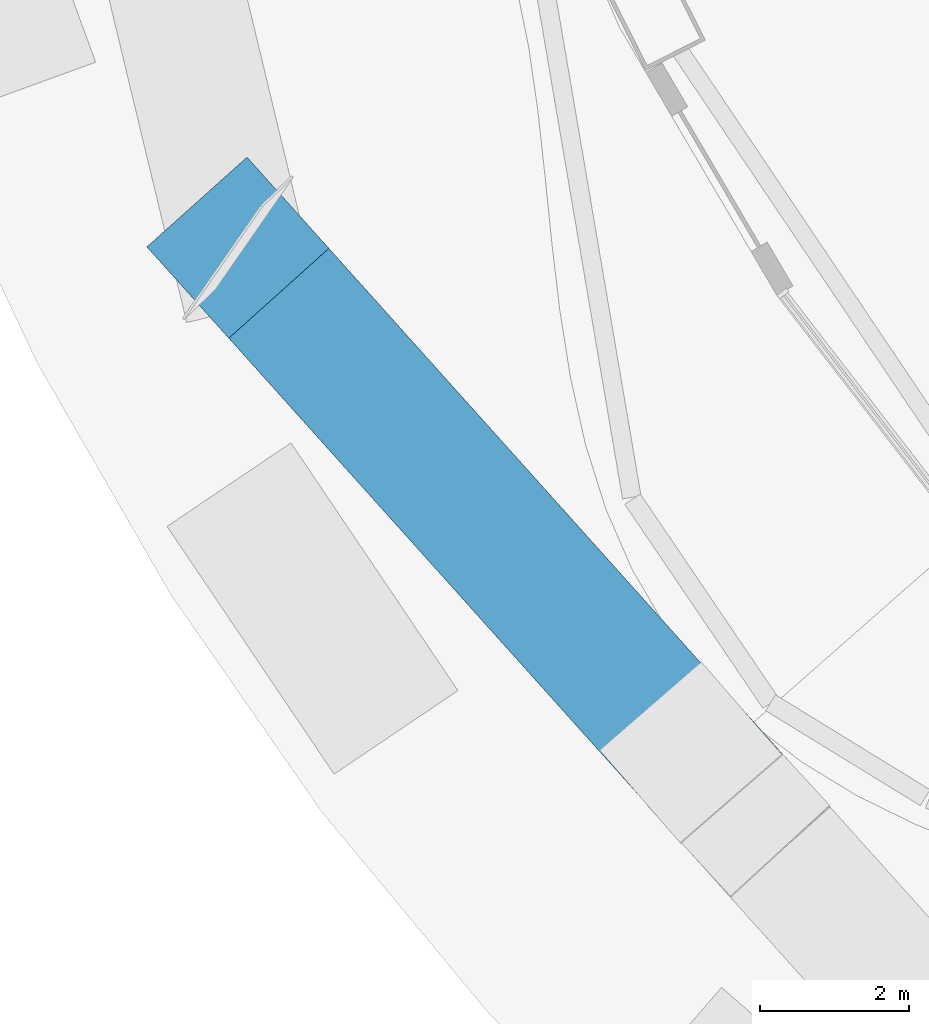
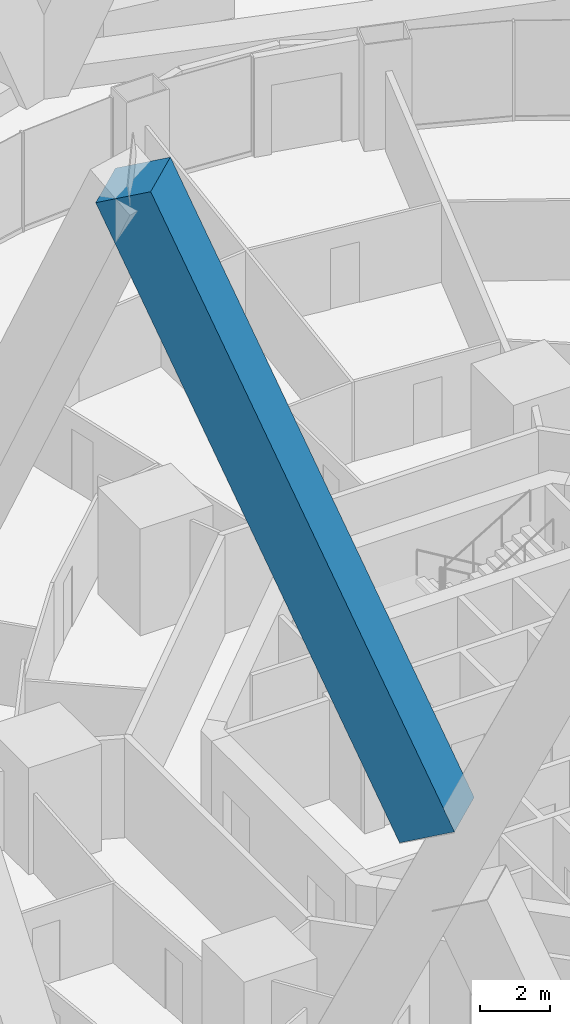
# One storey, part 3 of 42: 1 member.
"""IFC4 building model written with IfcOpenShell, lengths in metres."""

from ifc_helpers import new_model, si_unit, direction, frame, origin, origin_2d, place, context, subcontext, project, spatial, rectangle, extrude, material, material_profile, profile_set, type_object, element, save


model = new_model("IFC4")

# Units and contexts
model_context = context("Model", 3, precision=1e-05, world=origin(), true_north=direction((0.0, 1.0)))
body_context = subcontext(model_context, "Body", "Model", "MODEL_VIEW")
ifc_project = project(units=[si_unit("LENGTHUNIT", "METRE"), si_unit("AREAUNIT", "SQUARE_METRE"), si_unit("VOLUMEUNIT", "CUBIC_METRE"), si_unit("PLANEANGLEUNIT", "RADIAN"), si_unit("MASSUNIT", "GRAM", prefix="KILO")], contexts=[model_context])

# Site, building, storey
site_placement = place(None, origin())
site = spatial("IfcSite", under=ifc_project, at=site_placement, CompositionType="ELEMENT")
building_placement = place(site_placement, origin())
building = spatial("IfcBuilding", under=site, at=building_placement, Name="Nagisa Residences", CompositionType="ELEMENT")
storey_placement = place(building_placement, frame((0.0, 0.0, 27.0)))
storey = spatial("IfcBuildingStorey", under=building, at=storey_placement, Name="L05", CompositionType="ELEMENT", Elevation=27.0)

# Member
ifc_material = material(Name="Concrete C80", Category="concrete")
ifc_material_profile = material_profile(ifc_material, rectangle(XDim=1.800048828125, YDim=1.800048828125, at=origin_2d()), Name="C80 1800x1800")
ifc_profile_set = profile_set([ifc_material_profile], Name="Concrete C80")
member_type = type_object("IfcMemberType", Name="Cage diagonal 1 C80 1800x1800", PredefinedType="BRACE", material=ifc_profile_set)
member_placement = place(storey_placement, frame((-20.56103515625, -26.2080078125, 22.38037109375), z_axis=(-0.273554239164, 0.304902552619, 0.912251342362), x_axis=(-0.744334814067, -0.667806622136, 0.0)))
element("IfcMember", 1, at=member_placement, inside=storey, type_object=member_type, Name="mem:L05:cg1d116b", PredefinedType="BRACE", context=body_context, shape_type="SweptSolid", body=[
    extrude(rectangle(XDim=1.800048828125, YDim=1.800048828125, at=origin_2d()), origin(), (0.0, 0.0, 1.0), 22.16455078125),
])

save(model, "model.ifc")
